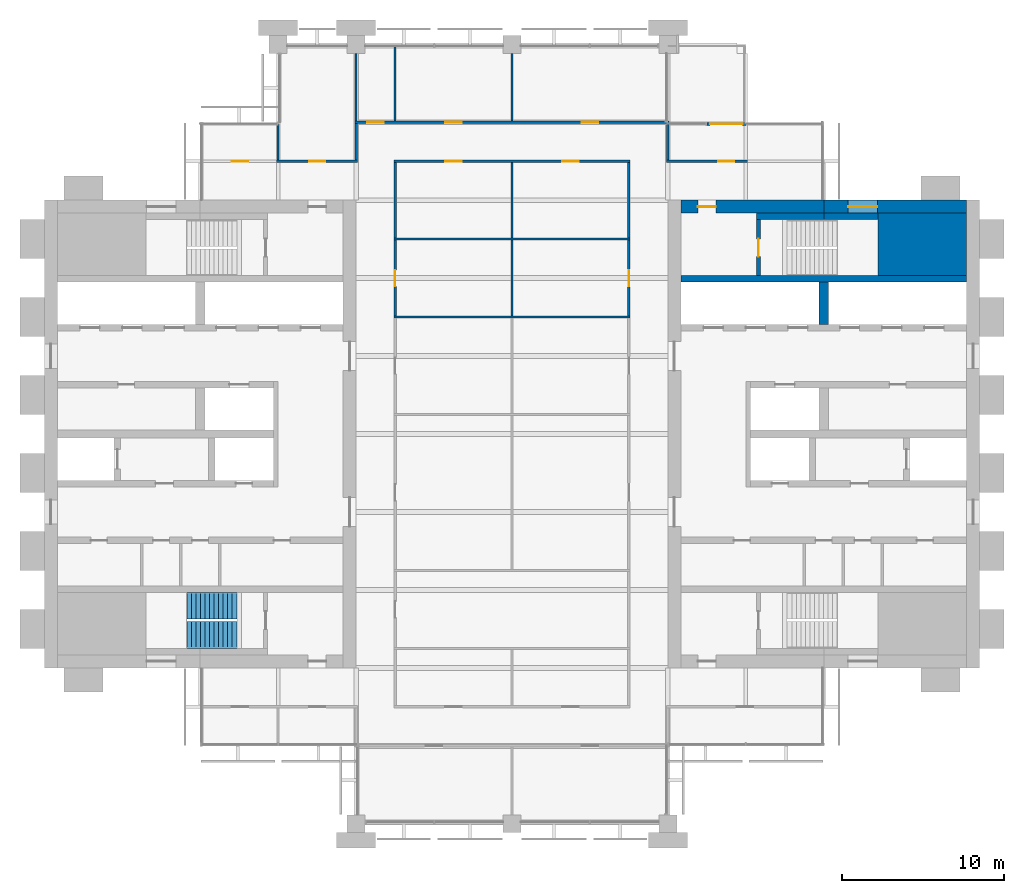
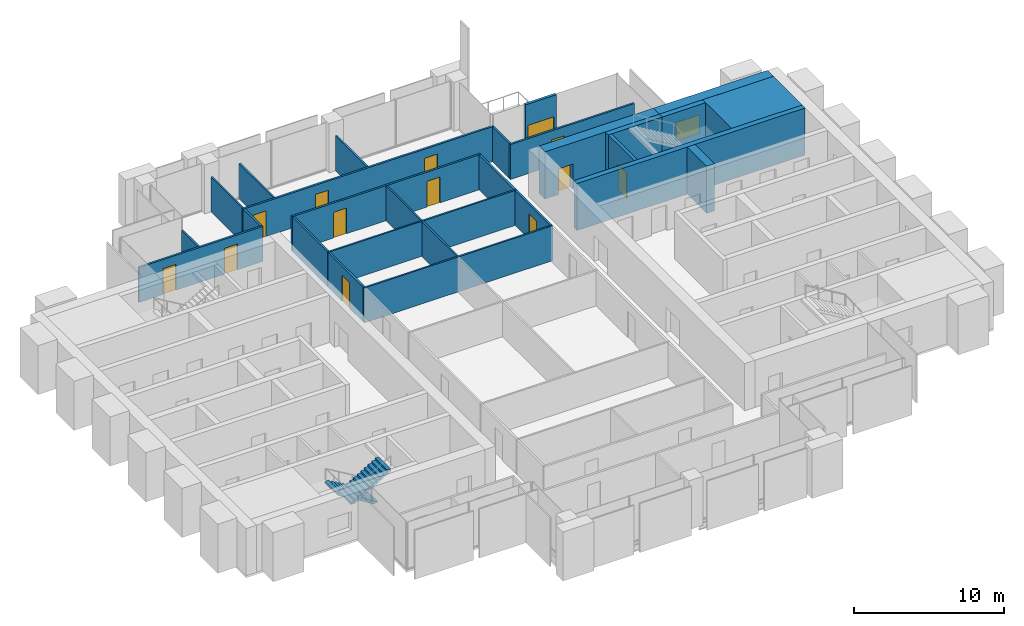
# One storey, part 11 of 13: 27 walls, 13 doors, 2 stair flights, 1 window, 14 openings, 1 element without a shape of its own.
"""IFC4 building model written with IfcOpenShell, lengths in metres."""

import ifcopenshell
import ifcopenshell.guid

model = None  # the IFC model being written
_history = None  # IfcOwnerHistory: only IFC2X3 demands one
_inside = {}  # id of a spatial element -> (the spatial element, [elements in it])
_under = {}  # id of a project, library or spatial element -> (it, [spatial elements below it])
_declared = {}  # id of a project -> (the project, [libraries it declares])
_typed = {}  # id of a type object -> (the type object, [elements of that type])
_made_of = {}  # id of a material, layer set ... -> (it, [elements and type objects made of it])


def new_model(schema):
    """Start an empty IFC model of exactly this schema.

    Asked for "IFC4X3", IfcOpenShell would pick the latest addendum, in which some entities
    have other attributes; the version numbers below select the first issue.
    IFC2X3 requires an IfcOwnerHistory on every rooted entity: one is made here for all.
    """
    global model, _history
    if schema == "IFC4X3":
        model = ifcopenshell.file(schema_version=(4, 3, 0, 0))
    else:
        model = ifcopenshell.file(schema=schema)
    _inside.clear()
    _under.clear()
    _declared.clear()
    _typed.clear()
    _made_of.clear()
    _history = None
    if model.schema == "IFC2X3":
        org = make("IfcOrganization", Name="unknown")
        user = make(
            "IfcPersonAndOrganization",
            ThePerson=make("IfcPerson", FamilyName="unknown"),
            TheOrganization=org,
        )
        app = make(
            "IfcApplication",
            ApplicationDeveloper=org,
            Version="unknown",
            ApplicationFullName="unknown",
            ApplicationIdentifier="unknown",
        )
        _history = make(
            "IfcOwnerHistory",
            OwningUser=user,
            OwningApplication=app,
            ChangeAction="ADDED",
            CreationDate=0,
        )
    return model


def make(cls, **values):
    """One entity of the class cls with the attributes given. An attribute that is None is left unset."""
    return model.create_entity(
        cls, **{name: value for name, value in values.items() if value is not None}
    )


def rooted(cls, **values):
    """An entity with a GlobalId (a new one), such as an element, a storey or a relation."""
    return make(cls, GlobalId=ifcopenshell.guid.new(), OwnerHistory=_history, **values)


def si_unit(unit_type, name, prefix=None):
    """IfcSIUnit, for example si_unit("LENGTHUNIT", "METRE", prefix="MILLI")."""
    return make("IfcSIUnit", UnitType=unit_type, Prefix=prefix, Name=name)


def assignment(units):
    """IfcUnitAssignment: the units of a project."""
    return None if units is None else make("IfcUnitAssignment", Units=units)


def point(xyz):
    """IfcCartesianPoint."""
    return None if xyz is None else make("IfcCartesianPoint", Coordinates=xyz)


def direction(xyz):
    """IfcDirection."""
    return None if xyz is None else make("IfcDirection", DirectionRatios=xyz)


def frame(location, z_axis=None, x_axis=None):
    """IfcAxis2Placement3D, a coordinate frame: its origin and axes. An axis left out is left unset."""
    return make(
        "IfcAxis2Placement3D",
        Location=point(location),
        Axis=direction(z_axis),
        RefDirection=direction(x_axis),
    )


def frame_2d(location, x_axis=None):
    """IfcAxis2Placement2D, a coordinate frame in the plane: its origin and x axis."""
    return make(
        "IfcAxis2Placement2D", Location=point(location), RefDirection=direction(x_axis)
    )


def origin():
    """The frame at (0, 0, 0) with its axes left unset."""
    return frame((0.0, 0.0, 0.0))


def place(relative_to, where):
    """IfcLocalPlacement: puts the frame where relative to a parent placement (None: the world)."""
    return make(
        "IfcLocalPlacement", PlacementRelTo=relative_to, RelativePlacement=where
    )


def context(
    kind, dimensions, precision=None, world=None, true_north=None, identifier=None
):
    """IfcGeometricRepresentationContext, for example the 3D "Model" context."""
    return make(
        "IfcGeometricRepresentationContext",
        ContextIdentifier=identifier,
        ContextType=kind,
        CoordinateSpaceDimension=dimensions,
        Precision=precision,
        WorldCoordinateSystem=world,
        TrueNorth=true_north,
    )


def subcontext(parent, identifier, kind, view, scale=None):
    """IfcGeometricRepresentationSubContext, for example "Body" below "Model"."""
    return make(
        "IfcGeometricRepresentationSubContext",
        ContextIdentifier=identifier,
        ContextType=kind,
        ParentContext=parent,
        TargetScale=scale,
        TargetView=view,
    )


def project(units=None, contexts=None):
    """IfcProject with its units and contexts."""
    return rooted(
        "IfcProject",
        Name="project",
        RepresentationContexts=contexts,
        UnitsInContext=assignment(units),
    )


def spatial(cls, under=None, at=None, **own):
    """A site, building, storey or space (cls), placed at a placement, below another one or the project."""
    s = rooted(cls, ObjectPlacement=at, **own)
    if under is not None:
        _under.setdefault(under.id(), (under, []))[1].append(s)
    return s


def polyline(points):
    """IfcPolyline through the points."""
    return make("IfcPolyline", Points=[point(p) for p in points])


def profile(cls, at=None, kind="AREA", **sizes):
    """A parametric profile (cls). Its sizes go by their IFC names, for example OverallWidth=200.0."""
    return make(cls, ProfileType=kind, Position=at, **sizes)


def rectangle(**sizes):
    """IfcRectangleProfileDef."""
    return profile("IfcRectangleProfileDef", **sizes)


def outline(outer, holes=None, kind="AREA"):
    """IfcArbitraryClosedProfileDef: a profile drawn as a closed curve; with holes, ...WithVoids."""
    if holes is None:
        return make("IfcArbitraryClosedProfileDef", ProfileType=kind, OuterCurve=outer)
    return make(
        "IfcArbitraryProfileDefWithVoids",
        ProfileType=kind,
        OuterCurve=outer,
        InnerCurves=holes,
    )


def extrude(swept, where, along, depth):
    """IfcExtrudedAreaSolid: the profile swept, set in the frame where, extruded along a direction by depth."""
    return make(
        "IfcExtrudedAreaSolid",
        SweptArea=swept,
        Position=where,
        ExtrudedDirection=direction(along),
        Depth=depth,
    )


def shape(context_of_items, identifier, shape_type, items):
    """IfcShapeRepresentation: the items that make up one representation, for example the "Body"."""
    return make(
        "IfcShapeRepresentation",
        ContextOfItems=context_of_items,
        RepresentationIdentifier=identifier,
        RepresentationType=shape_type,
        Items=items,
    )


def material(Name=None, Category=None):
    """IfcMaterial."""
    return make("IfcMaterial", Name=Name, Category=Category)


def layer(
    of_material, thickness, ventilated=None, Name=None, Category=None, Priority=None
):
    """IfcMaterialLayer: one layer of a wall or slab, of a material (None: an air gap)."""
    return make(
        "IfcMaterialLayer",
        Material=of_material,
        LayerThickness=thickness,
        IsVentilated=ventilated,
        Name=Name,
        Category=Category,
        Priority=Priority,
    )


def layer_set(layers, Name=None):
    """IfcMaterialLayerSet."""
    return make("IfcMaterialLayerSet", MaterialLayers=layers, LayerSetName=Name)


def made_of(thing, what):
    """Note that an element or type object is made of a material, layer set ...; save() writes the relation."""
    if what is not None:
        _made_of.setdefault(what.id(), (what, []))[1].append(thing)
    return thing


def type_object(cls, material=None, **own):
    """A type object (cls), such as IfcWallType, which elements share."""
    return made_of(rooted(cls, **own), material)


def element(
    cls,
    number,
    at=None,
    inside=None,
    cuts=None,
    type_object=None,
    material=None,
    context=None,
    identifier="Body",
    shape_type=None,
    held_by="IfcProductDefinitionShape",
    body=None,
    shapes=None,
    **own,
):
    """One element of the class cls, such as IfcWall. Its Tag is "e" and its number.

    at: its placement. inside: the storey or other place that contains it. cuts: it is an
    opening in that element (IfcRelVoidsElement). A single representation is given by context,
    identifier, shape_type and body (its items); several are given by shapes. held_by: the class
    of the entity that holds the representations. save() writes the other relations.
    """
    e = rooted(cls, Tag="e%d" % number, ObjectPlacement=at, **own)
    if body is not None:
        shapes = [shape(context, identifier, shape_type, body)]
    if shapes is not None:
        e.Representation = make(held_by, Representations=shapes)
    if inside is not None:
        _inside.setdefault(inside.id(), (inside, []))[1].append(e)
    if cuts is not None:
        rooted(
            "IfcRelVoidsElement", RelatingBuildingElement=cuts, RelatedOpeningElement=e
        )
    if type_object is not None:
        _typed.setdefault(type_object.id(), (type_object, []))[1].append(e)
    return made_of(e, material)


def fill(opening, filler):
    """IfcRelFillsElement: the door or window that sits in an opening."""
    return rooted(
        "IfcRelFillsElement",
        RelatingOpeningElement=opening,
        RelatedBuildingElement=filler,
    )


def aggregate(whole, parts):
    """IfcRelAggregates: a whole, such as a stair, and the parts it consists of."""
    return rooted("IfcRelAggregates", RelatingObject=whole, RelatedObjects=parts)


def save(model, path):
    """Write the relations noted so far, then the file.

    IfcRelAggregates (storeys below a building ...), IfcRelContainedInSpatialStructure (elements
    in a storey), IfcRelDefinesByType, IfcRelAssociatesMaterial and IfcRelDeclares: one each for
    every whole, place, type object, material and project.
    """
    for whole, parts in _under.values():
        aggregate(whole, parts)
    for where, things in _inside.values():
        rooted(
            "IfcRelContainedInSpatialStructure",
            RelatedElements=things,
            RelatingStructure=where,
        )
    for kind, things in _typed.values():
        rooted("IfcRelDefinesByType", RelatedObjects=things, RelatingType=kind)
    for what, things in _made_of.values():
        rooted("IfcRelAssociatesMaterial", RelatedObjects=things, RelatingMaterial=what)
    for by, libraries in _declared.values():
        rooted("IfcRelDeclares", RelatingContext=by, RelatedDefinitions=libraries)
    model.write(path)


model = new_model("IFC4")

# Units and contexts
model_context = context("Model", 3, precision=1e-05, world=origin(), true_north=direction((0.0, 1.0)))
body_context = subcontext(model_context, "Body", "Model", "MODEL_VIEW")
ifc_project = project(units=[si_unit("LENGTHUNIT", "METRE"), si_unit("AREAUNIT", "SQUARE_METRE"), si_unit("VOLUMEUNIT", "CUBIC_METRE"), si_unit("PLANEANGLEUNIT", "RADIAN"), si_unit("MASSUNIT", "GRAM", prefix="KILO")], contexts=[model_context])

# Site, building, storey
site_placement = place(None, origin())
site = spatial("IfcSite", under=ifc_project, at=site_placement, CompositionType="ELEMENT")
building_placement = place(site_placement, origin())
building = spatial("IfcBuilding", under=site, at=building_placement, Name="Baori Bourse Tower", CompositionType="ELEMENT")
storey_placement = place(building_placement, frame((0.0, 0.0, 205.199951171875)))
storey = spatial("IfcBuildingStorey", under=building, at=storey_placement, Name="L44", CompositionType="ELEMENT", Elevation=205.199951171875)

# Wall
ifc_material_1 = material(Name="Concrete f'c 50 MPa", Category="concrete")
wall_type_1 = type_object("IfcWallType", Name="Core corner block f'c 50", PredefinedType="SHEAR", material=ifc_material_1)
wall_1_placement = place(storey_placement, frame((51.35009765625, 35.675048828125, 0.0), z_axis=(0.0, 0.0, 1.0), x_axis=(1.0, 0.0, 0.0)))
element("IfcWall", 1, at=wall_1_placement, inside=storey, type_object=wall_type_1, Name="Core wall E24", PredefinedType="SHEAR", context=body_context, shape_type="SweptSolid", body=[
    extrude(rectangle(XDim=5.449951171875, YDim=3.85009765625, at=frame_2d((2.72509765625, 0.0))), origin(), (0.0, 0.0, 1.0), 3.840087890625),
])

# Wall, opening, window
ifc_material_2 = material(Name="Concrete f'c 50 MPa", Category="concrete")
ifc_layer_1 = layer(ifc_material_2, 0.800048828125)
ifc_layer_set_1 = layer_set([ifc_layer_1], Name="Core wall 800 f'c 50")
wall_type_2 = type_object("IfcWallType", Name="Core wall 800 f'c 50", PredefinedType="SHEAR", material=ifc_layer_set_1)
wall_2_placement = place(storey_placement, frame((48.0, 38.0, 0.0), z_axis=(0.0, 0.0, 1.0), x_axis=(1.0, 0.0, 0.0)))
wall_2 = element("IfcWall", 2, at=wall_2_placement, inside=storey, type_object=wall_type_2, Name="Core wall E28", PredefinedType="SHEAR", context=body_context, shape_type="SweptSolid", body=[
    extrude(rectangle(XDim=8.800048828125, YDim=0.800048828125, at=frame_2d((4.39990234375, 0.0))), origin(), (0.0, 0.0, 1.0), 3.840087890625),
])
opening_1_placement = place(wall_2_placement, frame((1.5, 0.0, 0.89990234375)))
opening_1 = element("IfcOpeningElement", 3, at=opening_1_placement, cuts=wall_2, Name="Opening L44-KW204", PredefinedType="OPENING", context=body_context, shape_type="SweptSolid", body=[
    extrude(rectangle(XDim=1.800048828125, YDim=1.5, at=frame_2d((0.89990234375, 0.75))), frame((0.0, 0.409912109375, 0.0), z_axis=(0.0, -1.0, 0.0), x_axis=(1.0, 0.0, 0.0)), (0.0, 0.0, 1.0), 0.820068359375),
])
ifc_material_3 = material(Name="Pale anodised aluminium", Category="aluminium")
window_type = type_object("IfcWindowType", Name="Stair window 1800 x 1500", PartitioningType="SINGLE_PANEL", PredefinedType="WINDOW", material=ifc_material_3)
window_placement = place(opening_1_placement, origin())
window = element("IfcWindow", 4, at=window_placement, inside=storey, type_object=window_type, Name="Stair window E L44 4", OverallHeight=1.5, OverallWidth=1.800048828125, PartitioningType="SINGLE_PANEL", PredefinedType="WINDOW", context=body_context, shape_type="SweptSolid", body=[
    extrude(rectangle(XDim=1.800048828125, YDim=1.5, at=frame_2d((0.89990234375, 0.75))), frame((0.0, 0.030029296875, 0.0), z_axis=(0.0, -1.0, 0.0), x_axis=(1.0, 0.0, 0.0)), (0.0, 0.0, 1.0), 0.06005859375),
])
fill(opening_1, window)

# Wall, opening, door
wall_3_placement = place(storey_placement, frame((39.199951171875, 38.0, 0.0), z_axis=(0.0, 0.0, 1.0), x_axis=(1.0, 0.0, 0.0)))
wall_3 = element("IfcWall", 5, at=wall_3_placement, inside=storey, type_object=wall_type_2, Name="Core wall E29", PredefinedType="SHEAR", context=body_context, shape_type="SweptSolid", body=[
    extrude(rectangle(XDim=8.800048828125, YDim=0.800048828125, at=frame_2d((4.39990234375, 0.0))), origin(), (0.0, 0.0, 1.0), 3.840087890625),
])
opening_2_placement = place(wall_3_placement, frame((1.050048828125, 0.0, 0.0)))
opening_2 = element("IfcOpeningElement", 6, at=opening_2_placement, cuts=wall_3, Name="Opening L44-D204", PredefinedType="OPENING", context=body_context, shape_type="SweptSolid", body=[
    extrude(rectangle(XDim=1.10009765625, YDim=2.10009765625, at=frame_2d((0.550048828125, 1.050048828125))), frame((0.0, 0.409912109375, 0.0), z_axis=(0.0, -1.0, 0.0), x_axis=(1.0, 0.0, 0.0)), (0.0, 0.0, 1.0), 0.820068359375),
])
ifc_material_4 = material(Name="Painted steel door", Category="steel")
door_type_1 = type_object("IfcDoorType", Name="Stair door 1100", OperationType="SINGLE_SWING_LEFT", PredefinedType="DOOR", material=ifc_material_4)
door_1_placement = place(opening_2_placement, origin())
door_1 = element("IfcDoor", 7, at=door_1_placement, inside=storey, type_object=door_type_1, Name="Stair vestibule door B E L44", OperationType="SINGLE_SWING_LEFT", OverallHeight=2.10009765625, OverallWidth=1.10009765625, PredefinedType="DOOR", context=body_context, shape_type="SweptSolid", body=[
    extrude(rectangle(XDim=1.10009765625, YDim=2.10009765625, at=frame_2d((0.550048828125, 1.050048828125))), frame((0.0, 0.02490234375, 0.0), z_axis=(0.0, -1.0, 0.0), x_axis=(1.0, 0.0, 0.0)), (0.0, 0.0, 1.0), 0.050048828125),
])
fill(opening_2, door_1)

# Wall, openings, doors
ifc_material_5 = material(Name="Gypsum board partition")
ifc_layer_2 = layer(ifc_material_5, 0.14990234375)
ifc_layer_set_2 = layer_set([ifc_layer_2], Name="Corridor partition 150")
wall_type_3 = type_object("IfcWallType", Name="Corridor partition 150", PredefinedType="PARTITIONING", material=ifc_layer_set_2)
wall_4_placement = place(storey_placement, frame((9.699951171875, 40.800048828125, 0.0), z_axis=(0.0, 0.0, 1.0), x_axis=(1.0, 0.0, 0.0)))
wall_4 = element("IfcWall", 8, at=wall_4_placement, inside=storey, type_object=wall_type_3, Name="Partition", PredefinedType="PARTITIONING", context=body_context, shape_type="SweptSolid", body=[
    extrude(rectangle(XDim=9.574951171875, YDim=0.14990234375, at=frame_2d((4.78759765625, 0.0))), origin(), (0.0, 0.0, 1.0), 2.849365234375),
])
opening_3_placement = place(wall_4_placement, frame((1.85009765625, 0.0, 0.0)))
opening_3 = element("IfcOpeningElement", 9, at=opening_3_placement, cuts=wall_4, Name="Opening L44-D08", PredefinedType="OPENING", context=body_context, shape_type="SweptSolid", body=[
    extrude(rectangle(XDim=1.0, YDim=2.10009765625, at=frame_2d((0.5, 1.050048828125))), frame((0.0, 0.0849609375, 0.0), z_axis=(0.0, -1.0, 0.0), x_axis=(1.0, 0.0, 0.0)), (0.0, 0.0, 1.0), 0.169921875),
])
opening_4_placement = place(wall_4_placement, frame((6.60009765625, 0.0, 0.0)))
opening_4 = element("IfcOpeningElement", 10, at=opening_4_placement, cuts=wall_4, Name="Opening L44-D09", PredefinedType="OPENING", context=body_context, shape_type="SweptSolid", body=[
    extrude(rectangle(XDim=1.0, YDim=2.10009765625, at=frame_2d((0.5, 1.050048828125))), frame((0.0, 0.0849609375, 0.0), z_axis=(0.0, -1.0, 0.0), x_axis=(1.0, 0.0, 0.0)), (0.0, 0.0, 1.0), 0.169921875),
])
ifc_material_6 = material(Name="Timber door leaf", Category="wood")
door_type_2 = type_object("IfcDoorType", Name="Door 1000 x 2100", OperationType="SINGLE_SWING_LEFT", PredefinedType="DOOR", material=ifc_material_6)
door_2_placement = place(opening_3_placement, origin())
door_2 = element("IfcDoor", 11, at=door_2_placement, inside=storey, type_object=door_type_2, Name="Door", OperationType="SINGLE_SWING_RIGHT", OverallHeight=2.10009765625, OverallWidth=1.0, PredefinedType="DOOR", context=body_context, shape_type="SweptSolid", body=[
    extrude(rectangle(XDim=1.0, YDim=2.10009765625, at=frame_2d((0.5, 1.050048828125))), frame((0.0, 0.02490234375, 0.0), z_axis=(0.0, -1.0, 0.0), x_axis=(1.0, 0.0, 0.0)), (0.0, 0.0, 1.0), 0.050048828125),
])
fill(opening_3, door_2)
door_3_placement = place(opening_4_placement, origin())
door_3 = element("IfcDoor", 12, at=door_3_placement, inside=storey, type_object=door_type_2, Name="Door", OperationType="SINGLE_SWING_LEFT", OverallHeight=2.10009765625, OverallWidth=1.0, PredefinedType="DOOR", context=body_context, shape_type="SweptSolid", body=[
    extrude(rectangle(XDim=1.0, YDim=2.10009765625, at=frame_2d((0.5, 1.050048828125))), frame((0.0, 0.02490234375, 0.0), z_axis=(0.0, -1.0, 0.0), x_axis=(1.0, 0.0, 0.0)), (0.0, 0.0, 1.0), 0.050048828125),
])
fill(opening_4, door_3)

wall_5_placement = place(storey_placement, frame((21.52490234375, 40.800048828125, 0.0), z_axis=(0.0, 0.0, 1.0), x_axis=(1.0, 0.0, 0.0)))
wall_5 = element("IfcWall", 13, at=wall_5_placement, inside=storey, type_object=wall_type_3, Name="Partition", PredefinedType="PARTITIONING", context=body_context, shape_type="SweptSolid", body=[
    extrude(rectangle(XDim=14.550048828125, YDim=0.14990234375, at=frame_2d((7.27490234375, 0.0))), origin(), (0.0, 0.0, 1.0), 2.849365234375),
])
opening_5_placement = place(wall_5_placement, frame((3.175048828125, 0.0, 0.0)))
opening_5 = element("IfcOpeningElement", 14, at=opening_5_placement, cuts=wall_5, Name="Opening L44-D10", PredefinedType="OPENING", context=body_context, shape_type="SweptSolid", body=[
    extrude(rectangle(XDim=1.0, YDim=2.10009765625, at=frame_2d((0.5, 1.050048828125))), frame((0.0, 0.0849609375, 0.0), z_axis=(0.0, -1.0, 0.0), x_axis=(1.0, 0.0, 0.0)), (0.0, 0.0, 1.0), 0.169921875),
])
opening_6_placement = place(wall_5_placement, frame((10.375, 0.0, 0.0)))
opening_6 = element("IfcOpeningElement", 15, at=opening_6_placement, cuts=wall_5, Name="Opening L44-D11", PredefinedType="OPENING", context=body_context, shape_type="SweptSolid", body=[
    extrude(rectangle(XDim=1.0, YDim=2.10009765625, at=frame_2d((0.5, 1.050048828125))), frame((0.0, 0.0849609375, 0.0), z_axis=(0.0, -1.0, 0.0), x_axis=(1.0, 0.0, 0.0)), (0.0, 0.0, 1.0), 0.169921875),
])
door_4_placement = place(opening_5_placement, origin())
door_4 = element("IfcDoor", 16, at=door_4_placement, inside=storey, type_object=door_type_2, Name="Door", OperationType="SINGLE_SWING_LEFT", OverallHeight=2.10009765625, OverallWidth=1.0, PredefinedType="DOOR", context=body_context, shape_type="SweptSolid", body=[
    extrude(rectangle(XDim=1.0, YDim=2.10009765625, at=frame_2d((0.5, 1.050048828125))), frame((0.0, 0.02490234375, 0.0), z_axis=(0.0, -1.0, 0.0), x_axis=(1.0, 0.0, 0.0)), (0.0, 0.0, 1.0), 0.050048828125),
])
fill(opening_5, door_4)
door_5_placement = place(opening_6_placement, origin())
door_5 = element("IfcDoor", 17, at=door_5_placement, inside=storey, type_object=door_type_2, Name="Door", OperationType="SINGLE_SWING_RIGHT", OverallHeight=2.10009765625, OverallWidth=1.0, PredefinedType="DOOR", context=body_context, shape_type="SweptSolid", body=[
    extrude(rectangle(XDim=1.0, YDim=2.10009765625, at=frame_2d((0.5, 1.050048828125))), frame((0.0, 0.02490234375, 0.0), z_axis=(0.0, -1.0, 0.0), x_axis=(1.0, 0.0, 0.0)), (0.0, 0.0, 1.0), 0.050048828125),
])
fill(opening_6, door_5)

# Wall, opening, door
wall_6_placement = place(storey_placement, frame((38.324951171875, 40.800048828125, 0.0), z_axis=(0.0, 0.0, 1.0), x_axis=(1.0, 0.0, 0.0)))
wall_6 = element("IfcWall", 18, at=wall_6_placement, inside=storey, type_object=wall_type_3, Name="Partition", PredefinedType="PARTITIONING", context=body_context, shape_type="SweptSolid", body=[
    extrude(rectangle(XDim=9.574951171875, YDim=0.14990234375, at=frame_2d((4.78759765625, 0.0))), origin(), (0.0, 0.0, 1.0), 2.849365234375),
])
opening_7_placement = place(wall_6_placement, frame((3.175048828125, 0.0, 0.0)))
opening_7 = element("IfcOpeningElement", 19, at=opening_7_placement, cuts=wall_6, Name="Opening L44-D12", PredefinedType="OPENING", context=body_context, shape_type="SweptSolid", body=[
    extrude(rectangle(XDim=1.0, YDim=2.10009765625, at=frame_2d((0.5, 1.050048828125))), frame((0.0, 0.0849609375, 0.0), z_axis=(0.0, -1.0, 0.0), x_axis=(1.0, 0.0, 0.0)), (0.0, 0.0, 1.0), 0.169921875),
])
door_6_placement = place(opening_7_placement, origin())
door_6 = element("IfcDoor", 20, at=door_6_placement, inside=storey, type_object=door_type_2, Name="Door", OperationType="SINGLE_SWING_RIGHT", OverallHeight=2.10009765625, OverallWidth=1.0, PredefinedType="DOOR", context=body_context, shape_type="SweptSolid", body=[
    extrude(rectangle(XDim=1.0, YDim=2.10009765625, at=frame_2d((0.5, 1.050048828125))), frame((0.0, 0.02490234375, 0.0), z_axis=(0.0, -1.0, 0.0), x_axis=(1.0, 0.0, 0.0)), (0.0, 0.0, 1.0), 0.050048828125),
])
fill(opening_7, door_6)

# Wall, openings, doors
wall_7_placement = place(storey_placement, frame((19.125, 43.199951171875, 0.0), z_axis=(0.0, 0.0, 1.0), x_axis=(1.0, 0.0, 0.0)))
wall_7 = element("IfcWall", 21, at=wall_7_placement, inside=storey, type_object=wall_type_3, Name="Partition", PredefinedType="PARTITIONING", context=body_context, shape_type="SweptSolid", body=[
    extrude(rectangle(XDim=19.35009765625, YDim=0.14990234375, at=frame_2d((9.675048828125, 0.0))), origin(), (0.0, 0.0, 1.0), 2.849365234375),
])
opening_8_placement = place(wall_7_placement, frame((0.77490234375, 0.0, 0.0)))
opening_8 = element("IfcOpeningElement", 22, at=opening_8_placement, cuts=wall_7, Name="Opening L44-D13", PredefinedType="OPENING", context=body_context, shape_type="SweptSolid", body=[
    extrude(rectangle(XDim=1.0, YDim=2.10009765625, at=frame_2d((0.5, 1.050048828125))), frame((0.0, 0.0849609375, 0.0), z_axis=(0.0, -1.0, 0.0), x_axis=(1.0, 0.0, 0.0)), (0.0, 0.0, 1.0), 0.169921875),
])
opening_9_placement = place(wall_7_placement, frame((5.574951171875, 0.0, 0.0)))
opening_9 = element("IfcOpeningElement", 23, at=opening_9_placement, cuts=wall_7, Name="Opening L44-D14", PredefinedType="OPENING", context=body_context, shape_type="SweptSolid", body=[
    extrude(rectangle(XDim=1.0, YDim=2.10009765625, at=frame_2d((0.5, 1.050048828125))), frame((0.0, 0.0849609375, 0.0), z_axis=(0.0, -1.0, 0.0), x_axis=(1.0, 0.0, 0.0)), (0.0, 0.0, 1.0), 0.169921875),
])
opening_10_placement = place(wall_7_placement, frame((13.97509765625, 0.0, 0.0)))
opening_10 = element("IfcOpeningElement", 24, at=opening_10_placement, cuts=wall_7, Name="Opening L44-D15", PredefinedType="OPENING", context=body_context, shape_type="SweptSolid", body=[
    extrude(rectangle(XDim=1.0, YDim=2.10009765625, at=frame_2d((0.5, 1.050048828125))), frame((0.0, 0.0849609375, 0.0), z_axis=(0.0, -1.0, 0.0), x_axis=(1.0, 0.0, 0.0)), (0.0, 0.0, 1.0), 0.169921875),
])
door_7_placement = place(opening_8_placement, origin())
door_7 = element("IfcDoor", 25, at=door_7_placement, inside=storey, type_object=door_type_2, Name="Door", OperationType="SINGLE_SWING_RIGHT", OverallHeight=2.10009765625, OverallWidth=1.0, PredefinedType="DOOR", context=body_context, shape_type="SweptSolid", body=[
    extrude(rectangle(XDim=1.0, YDim=2.10009765625, at=frame_2d((0.5, 1.050048828125))), frame((0.0, 0.02490234375, 0.0), z_axis=(0.0, -1.0, 0.0), x_axis=(1.0, 0.0, 0.0)), (0.0, 0.0, 1.0), 0.050048828125),
])
fill(opening_8, door_7)
door_8_placement = place(opening_9_placement, origin())
door_8 = element("IfcDoor", 26, at=door_8_placement, inside=storey, type_object=door_type_2, Name="Door", OperationType="SINGLE_SWING_RIGHT", OverallHeight=2.10009765625, OverallWidth=1.0, PredefinedType="DOOR", context=body_context, shape_type="SweptSolid", body=[
    extrude(rectangle(XDim=1.0, YDim=2.10009765625, at=frame_2d((0.5, 1.050048828125))), frame((0.0, 0.02490234375, 0.0), z_axis=(0.0, -1.0, 0.0), x_axis=(1.0, 0.0, 0.0)), (0.0, 0.0, 1.0), 0.050048828125),
])
fill(opening_9, door_8)
door_9_placement = place(opening_10_placement, origin())
door_9 = element("IfcDoor", 27, at=door_9_placement, inside=storey, type_object=door_type_2, Name="Door", OperationType="SINGLE_SWING_LEFT", OverallHeight=2.10009765625, OverallWidth=1.0, PredefinedType="DOOR", context=body_context, shape_type="SweptSolid", body=[
    extrude(rectangle(XDim=1.0, YDim=2.10009765625, at=frame_2d((0.5, 1.050048828125))), frame((0.0, 0.02490234375, 0.0), z_axis=(0.0, -1.0, 0.0), x_axis=(1.0, 0.0, 0.0)), (0.0, 0.0, 1.0), 0.050048828125),
])
fill(opening_10, door_9)

# Wall
wall_8_placement = place(storey_placement, frame((19.199951171875, 40.875, 0.0), z_axis=(0.0, 0.0, 1.0), x_axis=(0.0, 1.0, 0.0)))
element("IfcWall", 28, at=wall_8_placement, inside=storey, type_object=wall_type_3, Name="Partition", PredefinedType="PARTITIONING", context=body_context, shape_type="SweptSolid", body=[
    extrude(rectangle(XDim=2.25, YDim=0.14990234375, at=frame_2d((1.125, 0.0))), origin(), (0.0, 0.0, 1.0), 2.849365234375),
])

# Wall, opening, door
wall_9_placement = place(storey_placement, frame((21.60009765625, 31.262451171875, 0.0), z_axis=(0.0, 0.0, 1.0), x_axis=(0.0, 1.0, 0.0)))
wall_9 = element("IfcWall", 29, at=wall_9_placement, inside=storey, type_object=wall_type_3, Name="Partition", PredefinedType="PARTITIONING", context=body_context, shape_type="SweptSolid", body=[
    extrude(rectangle(XDim=4.675048828125, YDim=0.14990234375, at=frame_2d((2.33740234375, 0.0))), origin(), (0.0, 0.0, 1.0), 2.849365234375),
])
opening_11_placement = place(wall_9_placement, frame((1.83740234375, 0.0, 0.0)))
opening_11 = element("IfcOpeningElement", 30, at=opening_11_placement, cuts=wall_9, Name="Opening L44-D19", PredefinedType="OPENING", context=body_context, shape_type="SweptSolid", body=[
    extrude(rectangle(XDim=1.0, YDim=2.10009765625, at=frame_2d((0.5, 1.050048828125))), frame((0.0, 0.0849609375, 0.0), z_axis=(0.0, -1.0, 0.0), x_axis=(1.0, 0.0, 0.0)), (0.0, 0.0, 1.0), 0.169921875),
])
door_10_placement = place(opening_11_placement, origin())
door_10 = element("IfcDoor", 31, at=door_10_placement, inside=storey, type_object=door_type_2, Name="Door", OperationType="SINGLE_SWING_RIGHT", OverallHeight=2.10009765625, OverallWidth=1.0, PredefinedType="DOOR", context=body_context, shape_type="SweptSolid", body=[
    extrude(rectangle(XDim=1.0, YDim=2.10009765625, at=frame_2d((0.5, 1.050048828125))), frame((0.0, 0.02490234375, 0.0), z_axis=(0.0, -1.0, 0.0), x_axis=(1.0, 0.0, 0.0)), (0.0, 0.0, 1.0), 0.050048828125),
])
fill(opening_11, door_10)

# Wall
wall_10_placement = place(storey_placement, frame((21.60009765625, 36.0625, 0.0), z_axis=(0.0, 0.0, 1.0), x_axis=(0.0, 1.0, 0.0)))
element("IfcWall", 32, at=wall_10_placement, inside=storey, type_object=wall_type_3, Name="Partition", PredefinedType="PARTITIONING", context=body_context, shape_type="SweptSolid", body=[
    extrude(rectangle(XDim=4.66259765625, YDim=0.14990234375, at=frame_2d((2.331298828125, 0.0))), origin(), (0.0, 0.0, 1.0), 2.849365234375),
])

# Wall, opening, door
wall_11_placement = place(storey_placement, frame((36.0, 31.262451171875, 0.0), z_axis=(0.0, 0.0, 1.0), x_axis=(0.0, 1.0, 0.0)))
wall_11 = element("IfcWall", 33, at=wall_11_placement, inside=storey, type_object=wall_type_3, Name="Partition", PredefinedType="PARTITIONING", context=body_context, shape_type="SweptSolid", body=[
    extrude(rectangle(XDim=4.675048828125, YDim=0.14990234375, at=frame_2d((2.33740234375, 0.0))), origin(), (0.0, 0.0, 1.0), 2.849365234375),
])
opening_12_placement = place(wall_11_placement, frame((1.83740234375, 0.0, 0.0)))
opening_12 = element("IfcOpeningElement", 34, at=opening_12_placement, cuts=wall_11, Name="Opening L44-D22", PredefinedType="OPENING", context=body_context, shape_type="SweptSolid", body=[
    extrude(rectangle(XDim=1.0, YDim=2.10009765625, at=frame_2d((0.5, 1.050048828125))), frame((0.0, 0.0849609375, 0.0), z_axis=(0.0, -1.0, 0.0), x_axis=(1.0, 0.0, 0.0)), (0.0, 0.0, 1.0), 0.169921875),
])
door_11_placement = place(opening_12_placement, origin())
door_11 = element("IfcDoor", 35, at=door_11_placement, inside=storey, type_object=door_type_2, Name="Door", OperationType="SINGLE_SWING_LEFT", OverallHeight=2.10009765625, OverallWidth=1.0, PredefinedType="DOOR", context=body_context, shape_type="SweptSolid", body=[
    extrude(rectangle(XDim=1.0, YDim=2.10009765625, at=frame_2d((0.5, 1.050048828125))), frame((0.0, 0.02490234375, 0.0), z_axis=(0.0, -1.0, 0.0), x_axis=(1.0, 0.0, 0.0)), (0.0, 0.0, 1.0), 0.050048828125),
])
fill(opening_12, door_11)

# Walls
wall_12_placement = place(storey_placement, frame((36.0, 36.0625, 0.0), z_axis=(0.0, 0.0, 1.0), x_axis=(0.0, 1.0, 0.0)))
element("IfcWall", 36, at=wall_12_placement, inside=storey, type_object=wall_type_3, Name="Partition", PredefinedType="PARTITIONING", context=body_context, shape_type="SweptSolid", body=[
    extrude(rectangle(XDim=4.66259765625, YDim=0.14990234375, at=frame_2d((2.331298828125, 0.0))), origin(), (0.0, 0.0, 1.0), 2.849365234375),
])
wall_13_placement = place(storey_placement, frame((38.39990234375, 40.875, 0.0), z_axis=(0.0, 0.0, 1.0), x_axis=(0.0, 1.0, 0.0)))
element("IfcWall", 37, at=wall_13_placement, inside=storey, type_object=wall_type_3, Name="Partition", PredefinedType="PARTITIONING", context=body_context, shape_type="SweptSolid", body=[
    extrude(rectangle(XDim=2.25, YDim=0.14990234375, at=frame_2d((1.125, 0.0))), origin(), (0.0, 0.0, 1.0), 2.849365234375),
])

# Wall, opening, door
ifc_material_7 = material(Name="Pale anodised aluminium", Category="aluminium")
ifc_layer_3 = layer(ifc_material_7, 0.199951171875)
ifc_layer_set_3 = layer_set([ifc_layer_3], Name="EW1 External wall bay")
wall_type_4 = type_object("IfcWallType", Name="EW1 External wall bay", PredefinedType="SOLIDWALL", material=ifc_layer_set_3)
wall_14_placement = place(storey_placement, frame((43.199951171875, 43.10009765625, 0.0), z_axis=(0.0, 0.0, 1.0), x_axis=(-1.0, 0.0, 0.0)))
wall_14 = element("IfcWall", 38, at=wall_14_placement, inside=storey, type_object=wall_type_4, Name="External wall bay L44 1", PredefinedType="SOLIDWALL", context=body_context, shape_type="SweptSolid", body=[
    extrude(rectangle(XDim=2.39990234375, YDim=0.199951171875, at=frame_2d((1.199951171875, 0.0))), origin(), (0.0, 0.0, 1.0), 3.840087890625),
])
opening_13_placement = place(wall_14_placement, frame((0.199951171875, 0.0, 0.0)))
opening_13 = element("IfcOpeningElement", 39, at=opening_13_placement, cuts=wall_14, Name="Opening L44-D91", PredefinedType="OPENING", context=body_context, shape_type="SweptSolid", body=[
    extrude(rectangle(XDim=2.0, YDim=2.10009765625, at=frame_2d((1.0, 1.050048828125))), frame((0.0, 0.10986328125, 0.0), z_axis=(0.0, -1.0, 0.0), x_axis=(1.0, 0.0, 0.0)), (0.0, 0.0, 1.0), 0.219970703125),
])
ifc_material_8 = material(Name="Pale anodised aluminium", Category="aluminium")
door_type_3 = type_object("IfcDoorType", Name="TR1 Terrace door", OperationType="DOUBLE_DOOR_SINGLE_SWING", PredefinedType="DOOR", material=ifc_material_8)
door_12_placement = place(opening_13_placement, origin())
door_12 = element("IfcDoor", 40, at=door_12_placement, inside=storey, type_object=door_type_3, Name="Terrace door L44 1", OperationType="SINGLE_SWING_LEFT", OverallHeight=2.10009765625, OverallWidth=2.0, PredefinedType="DOOR", context=body_context, shape_type="SweptSolid", body=[
    extrude(rectangle(XDim=2.0, YDim=2.10009765625, at=frame_2d((1.0, 1.050048828125))), frame((0.0, 0.02490234375, 0.0), z_axis=(0.0, -1.0, 0.0), x_axis=(1.0, 0.0, 0.0)), (0.0, 0.0, 1.0), 0.050048828125),
])
fill(opening_13, door_12)

# Walls
ifc_material_9 = material(Name="Gypsum board partition")
ifc_layer_4 = layer(ifc_material_9, 0.125)
ifc_layer_set_4 = layer_set([ifc_layer_4], Name="Partition 125")
wall_type_5 = type_object("IfcWallType", Name="Partition 125", PredefinedType="PARTITIONING", material=ifc_layer_set_4)
for number, where, z_axis, x_axis, name in (
    (41, (21.52490234375, 31.199951171875, 0.0), (0.0, 0.0, 1.0), (1.0, 0.0, 0.0), "Partition"),
    (42, (21.52490234375, 36.0, 0.0), (0.0, 0.0, 1.0), (1.0, 0.0, 0.0), "Partition"),
):
    element("IfcWall", number, at=place(storey_placement, frame(where, z_axis=z_axis, x_axis=x_axis)), inside=storey, type_object=wall_type_5, Name=name, PredefinedType="PARTITIONING", context=body_context, shape_type="SweptSolid", body=[
        extrude(rectangle(XDim=14.550048828125, YDim=0.125, at=frame_2d((7.27490234375, 0.0))), origin(), (0.0, 0.0, 1.0), 2.849365234375),
    ])
wall_15_placement = place(storey_placement, frame((14.39990234375, 40.875, 0.0), z_axis=(0.0, 0.0, 1.0), x_axis=(0.0, 1.0, 0.0)))
element("IfcWall", 43, at=wall_15_placement, inside=storey, type_object=wall_type_5, Name="Partition", PredefinedType="PARTITIONING", context=body_context, shape_type="SweptSolid", body=[
    extrude(rectangle(XDim=2.22509765625, YDim=0.125, at=frame_2d((1.112548828125, 0.0))), origin(), (0.0, 0.0, 1.0), 2.849365234375),
])
wall_16_placement = place(storey_placement, frame((19.199951171875, 43.27490234375, 0.0), z_axis=(0.0, 0.0, 1.0), x_axis=(0.0, 1.0, 0.0)))
element("IfcWall", 44, at=wall_16_placement, inside=storey, type_object=wall_type_5, Name="Partition", PredefinedType="PARTITIONING", context=body_context, shape_type="SweptSolid", body=[
    extrude(rectangle(XDim=4.175048828125, YDim=0.125, at=frame_2d((2.08740234375, 0.0))), origin(), (0.0, 0.0, 1.0), 2.849365234375),
])
wall_17_placement = place(storey_placement, frame((21.60009765625, 43.27490234375, 0.0), z_axis=(0.0, 0.0, 1.0), x_axis=(0.0, 1.0, 0.0)))
element("IfcWall", 45, at=wall_17_placement, inside=storey, type_object=wall_type_5, Name="Partition", PredefinedType="PARTITIONING", context=body_context, shape_type="SweptSolid", body=[
    extrude(rectangle(XDim=4.625, YDim=0.125, at=frame_2d((2.3125, 0.0))), origin(), (0.0, 0.0, 1.0), 2.849365234375),
])
wall_18_placement = place(storey_placement, frame((28.800048828125, 31.262451171875, 0.0), z_axis=(0.0, 0.0, 1.0), x_axis=(0.0, 1.0, 0.0)))
element("IfcWall", 46, at=wall_18_placement, inside=storey, type_object=wall_type_5, Name="Partition", PredefinedType="PARTITIONING", context=body_context, shape_type="SweptSolid", body=[
    extrude(rectangle(XDim=4.675048828125, YDim=0.125, at=frame_2d((2.33740234375, 0.0))), origin(), (0.0, 0.0, 1.0), 2.849365234375),
])
wall_19_placement = place(storey_placement, frame((28.800048828125, 36.0625, 0.0), z_axis=(0.0, 0.0, 1.0), x_axis=(0.0, 1.0, 0.0)))
element("IfcWall", 47, at=wall_19_placement, inside=storey, type_object=wall_type_5, Name="Partition", PredefinedType="PARTITIONING", context=body_context, shape_type="SweptSolid", body=[
    extrude(rectangle(XDim=4.66259765625, YDim=0.125, at=frame_2d((2.331298828125, 0.0))), origin(), (0.0, 0.0, 1.0), 2.849365234375),
])
wall_20_placement = place(storey_placement, frame((28.800048828125, 43.27490234375, 0.0), z_axis=(0.0, 0.0, 1.0), x_axis=(0.0, 1.0, 0.0)))
element("IfcWall", 48, at=wall_20_placement, inside=storey, type_object=wall_type_5, Name="Partition", PredefinedType="PARTITIONING", context=body_context, shape_type="SweptSolid", body=[
    extrude(rectangle(XDim=4.175048828125, YDim=0.125, at=frame_2d((2.08740234375, 0.0))), origin(), (0.0, 0.0, 1.0), 2.849365234375),
])

# Wall, opening, door
ifc_material_10 = material(Name="Concrete f'c 50 MPa", Category="concrete")
ifc_layer_5 = layer(ifc_material_10, 0.25)
ifc_layer_set_5 = layer_set([ifc_layer_5], Name="Shaft wall 250 f'c 50")
wall_type_6 = type_object("IfcWallType", Name="Shaft wall 250 f'c 50", PredefinedType="SHEAR", material=ifc_layer_set_5)
wall_21_placement = place(storey_placement, frame((43.97509765625, 33.75, 0.0), z_axis=(0.0, 0.0, 1.0), x_axis=(0.0, 1.0, 0.0)))
wall_21 = element("IfcWall", 49, at=wall_21_placement, inside=storey, type_object=wall_type_6, Name="Core wall E25", PredefinedType="SHEAR", context=body_context, shape_type="SweptSolid", body=[
    extrude(rectangle(XDim=3.449951171875, YDim=0.25, at=frame_2d((1.72509765625, 0.0))), origin(), (0.0, 0.0, 1.0), 3.840087890625),
])
opening_14_placement = place(wall_21_placement, frame((1.175048828125, 0.0, 0.0)))
opening_14 = element("IfcOpeningElement", 50, at=opening_14_placement, cuts=wall_21, Name="Opening L44-D203", PredefinedType="OPENING", context=body_context, shape_type="SweptSolid", body=[
    extrude(rectangle(XDim=1.10009765625, YDim=2.10009765625, at=frame_2d((0.550048828125, 1.050048828125))), frame((0.0, 0.135009765625, 0.0), z_axis=(0.0, -1.0, 0.0), x_axis=(1.0, 0.0, 0.0)), (0.0, 0.0, 1.0), 0.27001953125),
])
door_13_placement = place(opening_14_placement, origin())
door_13 = element("IfcDoor", 51, at=door_13_placement, inside=storey, type_object=door_type_1, Name="Stair door B E L44", OperationType="SINGLE_SWING_LEFT", OverallHeight=2.10009765625, OverallWidth=1.10009765625, PredefinedType="DOOR", context=body_context, shape_type="SweptSolid", body=[
    extrude(rectangle(XDim=1.10009765625, YDim=2.10009765625, at=frame_2d((0.550048828125, 1.050048828125))), frame((0.0, 0.02490234375, 0.0), z_axis=(0.0, -1.0, 0.0), x_axis=(1.0, 0.0, 0.0)), (0.0, 0.0, 1.0), 0.050048828125),
])
fill(opening_14, door_13)

# Walls
ifc_material_11 = material(Name="Concrete f'c 50 MPa", Category="concrete")
ifc_layer_6 = layer(ifc_material_11, 0.39990234375)
ifc_layer_set_6 = layer_set([ifc_layer_6], Name="Shaft wall 400 f'c 50")
wall_type_7 = type_object("IfcWallType", Name="Shaft wall 400 f'c 50", PredefinedType="SHEAR", material=ifc_layer_set_6)
wall_22_placement = place(storey_placement, frame((39.199951171875, 33.550048828125, 0.0), z_axis=(0.0, 0.0, 1.0), x_axis=(1.0, 0.0, 0.0)))
element("IfcWall", 52, at=wall_22_placement, inside=storey, type_object=wall_type_7, Name="Core wall E23", PredefinedType="SHEAR", context=body_context, shape_type="SweptSolid", body=[
    extrude(rectangle(XDim=17.60009765625, YDim=0.39990234375, at=frame_2d((8.800048828125, 0.0))), origin(), (0.0, 0.0, 1.0), 3.840087890625),
])
wall_23_placement = place(storey_placement, frame((48.0, 37.39990234375, 0.0), z_axis=(0.0, 0.0, 1.0), x_axis=(1.0, 0.0, 0.0)))
element("IfcWall", 53, at=wall_23_placement, inside=storey, type_object=wall_type_7, Name="Core wall E26", PredefinedType="SHEAR", context=body_context, shape_type="SweptSolid", body=[
    extrude(rectangle(XDim=3.35009765625, YDim=0.39990234375, at=frame_2d((1.675048828125, 0.0))), origin(), (0.0, 0.0, 1.0), 3.840087890625),
])
wall_24_placement = place(storey_placement, frame((43.85009765625, 37.39990234375, 0.0), z_axis=(0.0, 0.0, 1.0), x_axis=(1.0, 0.0, 0.0)))
element("IfcWall", 54, at=wall_24_placement, inside=storey, type_object=wall_type_7, Name="Core wall E27", PredefinedType="SHEAR", context=body_context, shape_type="SweptSolid", body=[
    extrude(rectangle(XDim=4.14990234375, YDim=0.39990234375, at=frame_2d((2.074951171875, 0.0))), origin(), (0.0, 0.0, 1.0), 3.840087890625),
])
ifc_material_12 = material(Name="Concrete f'c 50 MPa", Category="concrete")
ifc_layer_7 = layer(ifc_material_12, 0.60009765625)
ifc_layer_set_7 = layer_set([ifc_layer_7], Name="Shaft wall 600 f'c 50")
wall_type_8 = type_object("IfcWallType", Name="Shaft wall 600 f'c 50", PredefinedType="SHEAR", material=ifc_layer_set_7)
wall_25_placement = place(storey_placement, frame((48.0, 30.75, 0.0), z_axis=(0.0, 0.0, 1.0), x_axis=(0.0, 1.0, 0.0)))
element("IfcWall", 55, at=wall_25_placement, inside=storey, type_object=wall_type_8, Name="Core wall E22", PredefinedType="SHEAR", context=body_context, shape_type="SweptSolid", body=[
    extrude(rectangle(XDim=2.60009765625, YDim=0.60009765625, at=frame_2d((1.300048828125, 0.0))), origin(), (0.0, 0.0, 1.0), 3.840087890625),
])

# Stair, stair flights
ifc_material_13 = material(Name="Concrete f'c 50 MPa", Category="concrete")
stair_type = type_object("IfcStairType", Name="Core stair", PredefinedType="HALF_TURN_STAIR", material=ifc_material_13)
stair_placement = place(storey_placement, origin())
stair = element("IfcStair", 56, at=stair_placement, inside=storey, type_object=stair_type, Name="L44 Stair WA", PredefinedType="HALF_TURN_STAIR")
ifc_material_14 = material(Name="Concrete f'c 50 MPa", Category="concrete")
stair_flight_type = type_object("IfcStairFlightType", Name="Core stair flight", PredefinedType="STRAIGHT", material=ifc_material_14)
stair_flight_1_placement = place(storey_placement, frame((11.85009765625, 13.425048828125, 0.0), z_axis=(0.0, 0.0, 1.0), x_axis=(-1.0, 0.0, 0.0)))
stair_flight_1 = element("IfcStairFlight", 57, at=stair_flight_1_placement, type_object=stair_flight_type, Name="ST1 flight 1", NumberOfRisers=12, NumberOfTreads=11, PredefinedType="STRAIGHT", RiserHeight=0.166666667, TreadLength=0.28, context=body_context, shape_type="SweptSolid", body=[
    extrude(outline(polyline([(0.0, 0.0), (0.0, 0.166748046875), (0.280029296875, 0.166748046875), (0.280029296875, 0.333251953125), (0.56005859375, 0.333251953125), (0.56005859375, 0.5), (0.840087890625, 0.5), (0.840087890625, 0.666748046875), (1.1201171875, 0.666748046875), (1.1201171875, 0.833251953125), (1.39990234375, 0.833251953125), (1.39990234375, 1.0), (1.679931640625, 1.0), (1.679931640625, 1.166748046875), (1.9599609375, 1.166748046875), (1.9599609375, 1.333251953125), (2.239990234375, 1.333251953125), (2.239990234375, 1.5), (2.52001953125, 1.5), (2.52001953125, 1.666748046875), (2.800048828125, 1.666748046875), (2.800048828125, 1.833251953125), (3.080078125, 1.833251953125), (3.080078125, 2.0), (3.080078125, 1.658935546875), (0.29296875, 0.0), (0.0, 0.0)])), frame((0.0, 0.824951171875, 0.0), z_axis=(0.0, -1.0, 0.0), x_axis=(1.0, 0.0, 0.0)), (0.0, 0.0, 1.0), 1.64990234375),
])
stair_flight_2_placement = place(storey_placement, frame((8.77001953125, 11.625, 2.0), z_axis=(0.0, 0.0, 1.0), x_axis=(1.0, 0.0, 0.0)))
stair_flight_2 = element("IfcStairFlight", 58, at=stair_flight_2_placement, type_object=stair_flight_type, Name="ST1 flight 2", NumberOfRisers=12, NumberOfTreads=11, PredefinedType="STRAIGHT", RiserHeight=0.166666667, TreadLength=0.28, context=body_context, shape_type="SweptSolid", body=[
    extrude(outline(polyline([(0.0, 0.0), (0.0, 0.166748046875), (0.280029296875, 0.166748046875), (0.280029296875, 0.333251953125), (0.56005859375, 0.333251953125), (0.56005859375, 0.5), (0.840087890625, 0.5), (0.840087890625, 0.666748046875), (1.1201171875, 0.666748046875), (1.1201171875, 0.833251953125), (1.39990234375, 0.833251953125), (1.39990234375, 1.0), (1.679931640625, 1.0), (1.679931640625, 1.166748046875), (1.9599609375, 1.166748046875), (1.9599609375, 1.333251953125), (2.239990234375, 1.333251953125), (2.239990234375, 1.5), (2.52001953125, 1.5), (2.52001953125, 1.666748046875), (2.800048828125, 1.666748046875), (2.800048828125, 1.833251953125), (3.080078125, 1.833251953125), (3.080078125, 2.0), (3.080078125, 1.658935546875), (0.29296875, 0.0), (0.0, 0.0)])), frame((0.0, 0.824951171875, 0.0), z_axis=(0.0, -1.0, 0.0), x_axis=(1.0, 0.0, 0.0)), (0.0, 0.0, 1.0), 1.64990234375),
])
aggregate(stair, [stair_flight_1, stair_flight_2])

save(model, "model.ifc")
